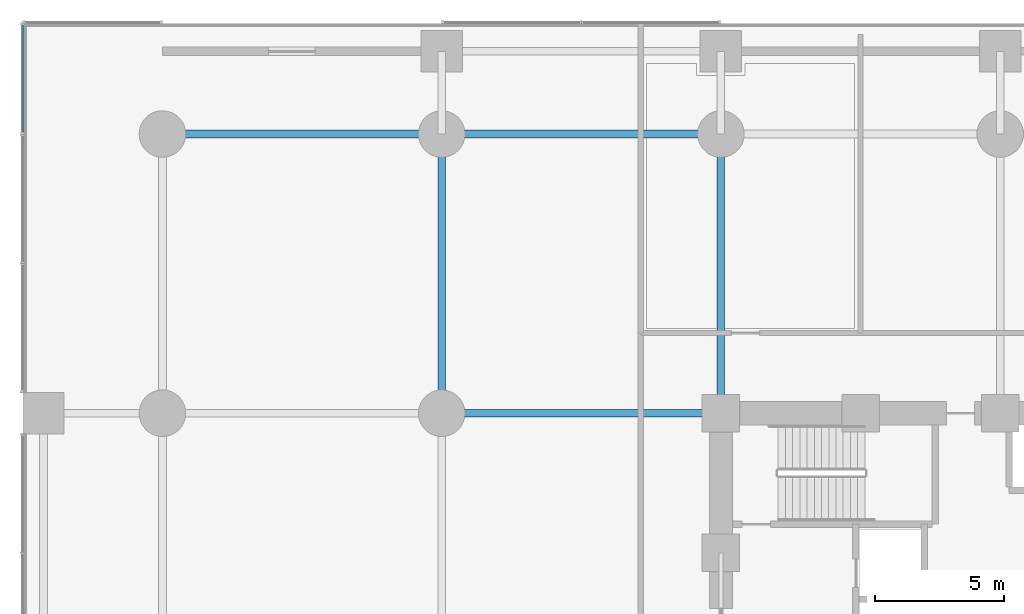
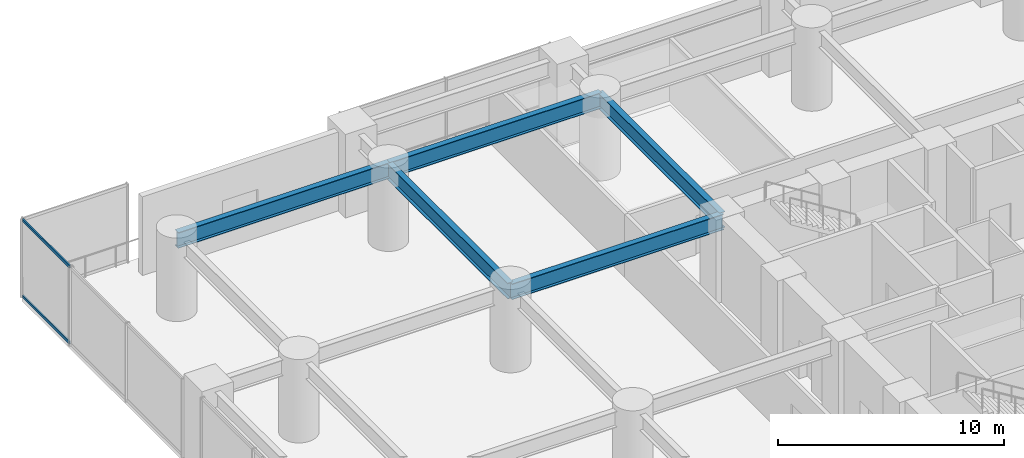
# One storey, part 13 of 36: 5 beams, 2 members, 1 element without a shape of its own.
"""IFC4 building model written with IfcOpenShell, lengths in metres."""

import ifcopenshell
import ifcopenshell.guid

model = None  # the IFC model being written
_history = None  # IfcOwnerHistory: only IFC2X3 demands one
_inside = {}  # id of a spatial element -> (the spatial element, [elements in it])
_under = {}  # id of a project, library or spatial element -> (it, [spatial elements below it])
_declared = {}  # id of a project -> (the project, [libraries it declares])
_typed = {}  # id of a type object -> (the type object, [elements of that type])
_made_of = {}  # id of a material, layer set ... -> (it, [elements and type objects made of it])


def new_model(schema):
    """Start an empty IFC model of exactly this schema.

    Asked for "IFC4X3", IfcOpenShell would pick the latest addendum, in which some entities
    have other attributes; the version numbers below select the first issue.
    IFC2X3 requires an IfcOwnerHistory on every rooted entity: one is made here for all.
    """
    global model, _history
    if schema == "IFC4X3":
        model = ifcopenshell.file(schema_version=(4, 3, 0, 0))
    else:
        model = ifcopenshell.file(schema=schema)
    _inside.clear()
    _under.clear()
    _declared.clear()
    _typed.clear()
    _made_of.clear()
    _history = None
    if model.schema == "IFC2X3":
        org = make("IfcOrganization", Name="unknown")
        user = make(
            "IfcPersonAndOrganization",
            ThePerson=make("IfcPerson", FamilyName="unknown"),
            TheOrganization=org,
        )
        app = make(
            "IfcApplication",
            ApplicationDeveloper=org,
            Version="unknown",
            ApplicationFullName="unknown",
            ApplicationIdentifier="unknown",
        )
        _history = make(
            "IfcOwnerHistory",
            OwningUser=user,
            OwningApplication=app,
            ChangeAction="ADDED",
            CreationDate=0,
        )
    return model


def make(cls, **values):
    """One entity of the class cls with the attributes given. An attribute that is None is left unset."""
    return model.create_entity(
        cls, **{name: value for name, value in values.items() if value is not None}
    )


def rooted(cls, **values):
    """An entity with a GlobalId (a new one), such as an element, a storey or a relation."""
    return make(cls, GlobalId=ifcopenshell.guid.new(), OwnerHistory=_history, **values)


def si_unit(unit_type, name, prefix=None):
    """IfcSIUnit, for example si_unit("LENGTHUNIT", "METRE", prefix="MILLI")."""
    return make("IfcSIUnit", UnitType=unit_type, Prefix=prefix, Name=name)


def assignment(units):
    """IfcUnitAssignment: the units of a project."""
    return None if units is None else make("IfcUnitAssignment", Units=units)


def point(xyz):
    """IfcCartesianPoint."""
    return None if xyz is None else make("IfcCartesianPoint", Coordinates=xyz)


def direction(xyz):
    """IfcDirection."""
    return None if xyz is None else make("IfcDirection", DirectionRatios=xyz)


def frame(location, z_axis=None, x_axis=None):
    """IfcAxis2Placement3D, a coordinate frame: its origin and axes. An axis left out is left unset."""
    return make(
        "IfcAxis2Placement3D",
        Location=point(location),
        Axis=direction(z_axis),
        RefDirection=direction(x_axis),
    )


def frame_2d(location, x_axis=None):
    """IfcAxis2Placement2D, a coordinate frame in the plane: its origin and x axis."""
    return make(
        "IfcAxis2Placement2D", Location=point(location), RefDirection=direction(x_axis)
    )


def origin():
    """The frame at (0, 0, 0) with its axes left unset."""
    return frame((0.0, 0.0, 0.0))


def origin_2d():
    """The frame at (0, 0) in the plane with its x axis left unset."""
    return frame_2d((0.0, 0.0))


def place(relative_to, where):
    """IfcLocalPlacement: puts the frame where relative to a parent placement (None: the world)."""
    return make(
        "IfcLocalPlacement", PlacementRelTo=relative_to, RelativePlacement=where
    )


def context(
    kind, dimensions, precision=None, world=None, true_north=None, identifier=None
):
    """IfcGeometricRepresentationContext, for example the 3D "Model" context."""
    return make(
        "IfcGeometricRepresentationContext",
        ContextIdentifier=identifier,
        ContextType=kind,
        CoordinateSpaceDimension=dimensions,
        Precision=precision,
        WorldCoordinateSystem=world,
        TrueNorth=true_north,
    )


def subcontext(parent, identifier, kind, view, scale=None):
    """IfcGeometricRepresentationSubContext, for example "Body" below "Model"."""
    return make(
        "IfcGeometricRepresentationSubContext",
        ContextIdentifier=identifier,
        ContextType=kind,
        ParentContext=parent,
        TargetScale=scale,
        TargetView=view,
    )


def project(units=None, contexts=None):
    """IfcProject with its units and contexts."""
    return rooted(
        "IfcProject",
        Name="project",
        RepresentationContexts=contexts,
        UnitsInContext=assignment(units),
    )


def spatial(cls, under=None, at=None, **own):
    """A site, building, storey or space (cls), placed at a placement, below another one or the project."""
    s = rooted(cls, ObjectPlacement=at, **own)
    if under is not None:
        _under.setdefault(under.id(), (under, []))[1].append(s)
    return s


def profile(cls, at=None, kind="AREA", **sizes):
    """A parametric profile (cls). Its sizes go by their IFC names, for example OverallWidth=200.0."""
    return make(cls, ProfileType=kind, Position=at, **sizes)


def hollow_rectangle(**sizes):
    """IfcRectangleHollowProfileDef."""
    return profile("IfcRectangleHollowProfileDef", **sizes)


def i_section(**sizes):
    """IfcIShapeProfileDef."""
    return profile("IfcIShapeProfileDef", **sizes)


def extrude(swept, where, along, depth):
    """IfcExtrudedAreaSolid: the profile swept, set in the frame where, extruded along a direction by depth."""
    return make(
        "IfcExtrudedAreaSolid",
        SweptArea=swept,
        Position=where,
        ExtrudedDirection=direction(along),
        Depth=depth,
    )


def shape(context_of_items, identifier, shape_type, items):
    """IfcShapeRepresentation: the items that make up one representation, for example the "Body"."""
    return make(
        "IfcShapeRepresentation",
        ContextOfItems=context_of_items,
        RepresentationIdentifier=identifier,
        RepresentationType=shape_type,
        Items=items,
    )


def material(Name=None, Category=None):
    """IfcMaterial."""
    return make("IfcMaterial", Name=Name, Category=Category)


def layer(
    of_material, thickness, ventilated=None, Name=None, Category=None, Priority=None
):
    """IfcMaterialLayer: one layer of a wall or slab, of a material (None: an air gap)."""
    return make(
        "IfcMaterialLayer",
        Material=of_material,
        LayerThickness=thickness,
        IsVentilated=ventilated,
        Name=Name,
        Category=Category,
        Priority=Priority,
    )


def layer_set(layers, Name=None):
    """IfcMaterialLayerSet."""
    return make("IfcMaterialLayerSet", MaterialLayers=layers, LayerSetName=Name)


def material_profile(
    of_material, cross_section, Name=None, Category=None, Priority=None
):
    """IfcMaterialProfile: a cross section and its material."""
    return make(
        "IfcMaterialProfile",
        Name=Name,
        Material=of_material,
        Profile=cross_section,
        Priority=Priority,
        Category=Category,
    )


def profile_set(profiles, Name=None, composite=None):
    """IfcMaterialProfileSet."""
    return make(
        "IfcMaterialProfileSet",
        Name=Name,
        MaterialProfiles=profiles,
        CompositeProfile=composite,
    )


def made_of(thing, what):
    """Note that an element or type object is made of a material, layer set ...; save() writes the relation."""
    if what is not None:
        _made_of.setdefault(what.id(), (what, []))[1].append(thing)
    return thing


def type_object(cls, material=None, **own):
    """A type object (cls), such as IfcWallType, which elements share."""
    return made_of(rooted(cls, **own), material)


def element(
    cls,
    number,
    at=None,
    inside=None,
    cuts=None,
    type_object=None,
    material=None,
    context=None,
    identifier="Body",
    shape_type=None,
    held_by="IfcProductDefinitionShape",
    body=None,
    shapes=None,
    **own,
):
    """One element of the class cls, such as IfcWall. Its Tag is "e" and its number.

    at: its placement. inside: the storey or other place that contains it. cuts: it is an
    opening in that element (IfcRelVoidsElement). A single representation is given by context,
    identifier, shape_type and body (its items); several are given by shapes. held_by: the class
    of the entity that holds the representations. save() writes the other relations.
    """
    e = rooted(cls, Tag="e%d" % number, ObjectPlacement=at, **own)
    if body is not None:
        shapes = [shape(context, identifier, shape_type, body)]
    if shapes is not None:
        e.Representation = make(held_by, Representations=shapes)
    if inside is not None:
        _inside.setdefault(inside.id(), (inside, []))[1].append(e)
    if cuts is not None:
        rooted(
            "IfcRelVoidsElement", RelatingBuildingElement=cuts, RelatedOpeningElement=e
        )
    if type_object is not None:
        _typed.setdefault(type_object.id(), (type_object, []))[1].append(e)
    return made_of(e, material)


def aggregate(whole, parts):
    """IfcRelAggregates: a whole, such as a stair, and the parts it consists of."""
    return rooted("IfcRelAggregates", RelatingObject=whole, RelatedObjects=parts)


def save(model, path):
    """Write the relations noted so far, then the file.

    IfcRelAggregates (storeys below a building ...), IfcRelContainedInSpatialStructure (elements
    in a storey), IfcRelDefinesByType, IfcRelAssociatesMaterial and IfcRelDeclares: one each for
    every whole, place, type object, material and project.
    """
    for whole, parts in _under.values():
        aggregate(whole, parts)
    for where, things in _inside.values():
        rooted(
            "IfcRelContainedInSpatialStructure",
            RelatedElements=things,
            RelatingStructure=where,
        )
    for kind, things in _typed.values():
        rooted("IfcRelDefinesByType", RelatedObjects=things, RelatingType=kind)
    for what, things in _made_of.values():
        rooted("IfcRelAssociatesMaterial", RelatedObjects=things, RelatingMaterial=what)
    for by, libraries in _declared.values():
        rooted("IfcRelDeclares", RelatingContext=by, RelatedDefinitions=libraries)
    model.write(path)


model = new_model("IFC4")

# Units and contexts
model_context = context("Model", 3, precision=1e-05, world=origin(), true_north=direction((0.0, 1.0)))
body_context = subcontext(model_context, "Body", "Model", "MODEL_VIEW")
ifc_project = project(units=[si_unit("LENGTHUNIT", "METRE"), si_unit("AREAUNIT", "SQUARE_METRE"), si_unit("VOLUMEUNIT", "CUBIC_METRE"), si_unit("PLANEANGLEUNIT", "RADIAN"), si_unit("MASSUNIT", "GRAM", prefix="KILO")], contexts=[model_context])

# Site, building, storey
site_placement = place(None, origin())
site = spatial("IfcSite", under=ifc_project, at=site_placement, CompositionType="ELEMENT")
building_placement = place(site_placement, origin())
building = spatial("IfcBuilding", under=site, at=building_placement, Name="Surkhivell Harbour Commons", CompositionType="ELEMENT")
storey_placement = place(building_placement, frame((0.0, 0.0, 9.0)))
storey = spatial("IfcBuildingStorey", under=building, at=storey_placement, Name="L02", CompositionType="ELEMENT", Elevation=9.0)

# Beams
ifc_material_1 = material(Name="Steel S460", Category="steel")
ifc_material_profile_1 = material_profile(ifc_material_1, i_section(OverallWidth=0.2939453125, OverallDepth=0.85107421875, WebThickness=0.01611328125, FlangeThickness=0.02685546875, at=origin_2d()), Name="UB838x292x226")
ifc_profile_set_1 = profile_set([ifc_material_profile_1], Name="Steel S460")
beam_type = type_object("IfcBeamType", Name="BM-SPN-838", PredefinedType="SPANDREL", material=ifc_profile_set_1)
beam_placement = place(storey_placement, frame((-32.39990234375, 21.60009765625, 3.824462890625), z_axis=(1.0, 0.0, 0.0), x_axis=(0.0, 1.0, 0.0)))
element("IfcBeam", 1, at=beam_placement, inside=storey, type_object=beam_type, Name="L02 Framing Beam (-32.4,21.6)", PredefinedType="SPANDREL", context=body_context, shape_type="SweptSolid", body=[
    extrude(i_section(OverallWidth=0.2939453125, OverallDepth=0.85107421875, WebThickness=0.01611328125, FlangeThickness=0.02685546875, at=origin_2d()), origin(), (0.0, 0.0, 1.0), 10.7998046875),
])
for number, where, z_axis, x_axis, name in (
    (2, (-21.60009765625, 10.800048828125, 3.824462890625), (0.0, 1.0, 0.0), (-1.0, 0.0, 0.0), "L02 Framing Beam (-21.6,10.8)"),
    (3, (-21.60009765625, 10.800048828125, 3.824462890625), (1.0, 0.0, 0.0), (0.0, 1.0, 0.0), "L02 Framing Beam (-21.6,10.8)"),
    (4, (-21.60009765625, 21.60009765625, 3.824462890625), (1.0, 0.0, 0.0), (0.0, 1.0, 0.0), "L02 Framing Beam (-21.6,21.6)"),
    (5, (-10.800048828125, 10.800048828125, 3.824462890625), (0.0, 1.0, 0.0), (-1.0, 0.0, 0.0), "L02 Framing Beam (-10.8,10.8)"),
):
    element("IfcBeam", number, at=place(storey_placement, frame(where, z_axis=z_axis, x_axis=x_axis)), inside=storey, type_object=beam_type, Name=name, PredefinedType="SPANDREL", context=body_context, shape_type="SweptSolid", body=[
        extrude(i_section(OverallWidth=0.2939453125, OverallDepth=0.85107421875, WebThickness=0.01611328125, FlangeThickness=0.02685546875, at=origin_2d()), origin(), (0.0, 0.0, 1.0), 10.800048828125),
    ])

# Curtain wall, members
ifc_material_2 = material(Name="Anodised pale-metal aluminium and insulated glazing", Category="aluminium")
ifc_layer = layer(ifc_material_2, 0.239990234375)
ifc_layer_set = layer_set([ifc_layer], Name="Anodised pale-metal aluminium and insulated glazing")
curtain_wall_type = type_object("IfcCurtainWallType", Name="CW-SYS-POD", PredefinedType="NOTDEFINED", material=ifc_layer_set)
curtain_wall_placement = place(storey_placement, origin())
curtain_wall = element("IfcCurtainWall", 6, at=curtain_wall_placement, inside=storey, type_object=curtain_wall_type, Name="L02 Curtain Wall CW-L02-W6", PredefinedType="NOTDEFINED")
ifc_material_3 = material(Name="Anodised pale-metal aluminium alloy 6063-T6", Category="aluminium")
ifc_material_profile_2 = material_profile(ifc_material_3, hollow_rectangle(XDim=0.074951171875, YDim=0.14990234375, WallThickness=0.00341796875, at=origin_2d()), Name="ALU-TRAN-75x150")
ifc_profile_set_2 = profile_set([ifc_material_profile_2], Name="Anodised pale-metal aluminium alloy 6063-T6")
member_type = type_object("IfcMemberType", Name="CWT-150", PredefinedType="USERDEFINED", material=ifc_profile_set_2)
member_1_placement = place(storey_placement, frame((-37.800048828125, 21.675048828125, 0.074951171875), z_axis=(0.0, 1.0, 0.0), x_axis=(-1.0, 0.0, 0.0)))
member_1 = element("IfcMember", 7, at=member_1_placement, type_object=member_type, Name="CW-POD transom 1.1", ObjectType="TRANSOM", PredefinedType="USERDEFINED", context=body_context, shape_type="SweptSolid", body=[
    extrude(hollow_rectangle(XDim=0.074951171875, YDim=0.14990234375, WallThickness=0.00341796875, at=origin_2d()), origin(), (0.0, 0.0, 1.0), 4.14990234375),
])
member_2_placement = place(storey_placement, frame((-37.800048828125, 21.675048828125, 4.175048828125), z_axis=(0.0, 1.0, 0.0), x_axis=(-1.0, 0.0, 0.0)))
member_2 = element("IfcMember", 8, at=member_2_placement, type_object=member_type, Name="CW-POD transom 1.2", ObjectType="TRANSOM", PredefinedType="USERDEFINED", context=body_context, shape_type="SweptSolid", body=[
    extrude(hollow_rectangle(XDim=0.074951171875, YDim=0.14990234375, WallThickness=0.00341796875, at=origin_2d()), origin(), (0.0, 0.0, 1.0), 4.14990234375),
])
aggregate(curtain_wall, [member_1, member_2])

save(model, "model.ifc")
